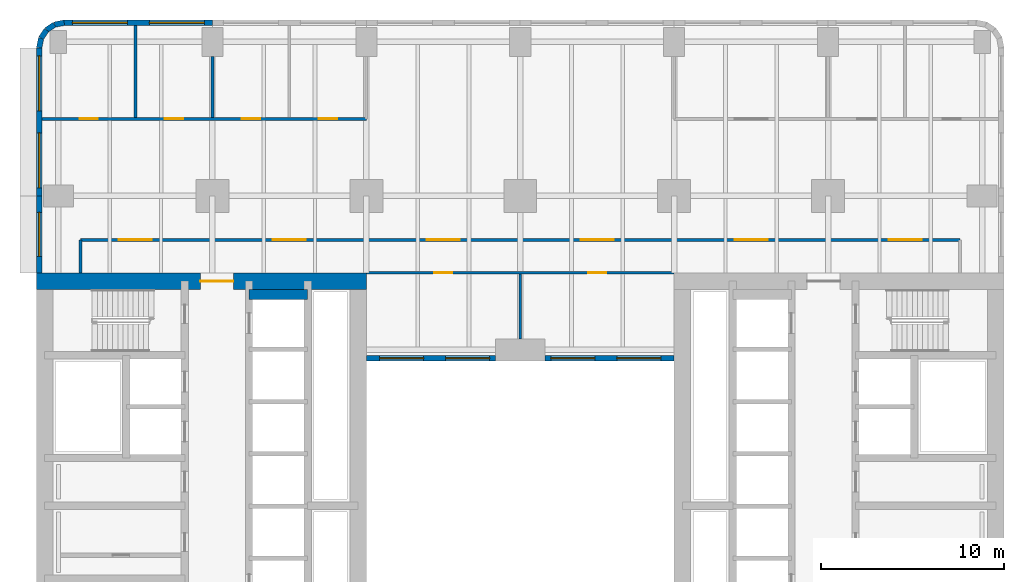
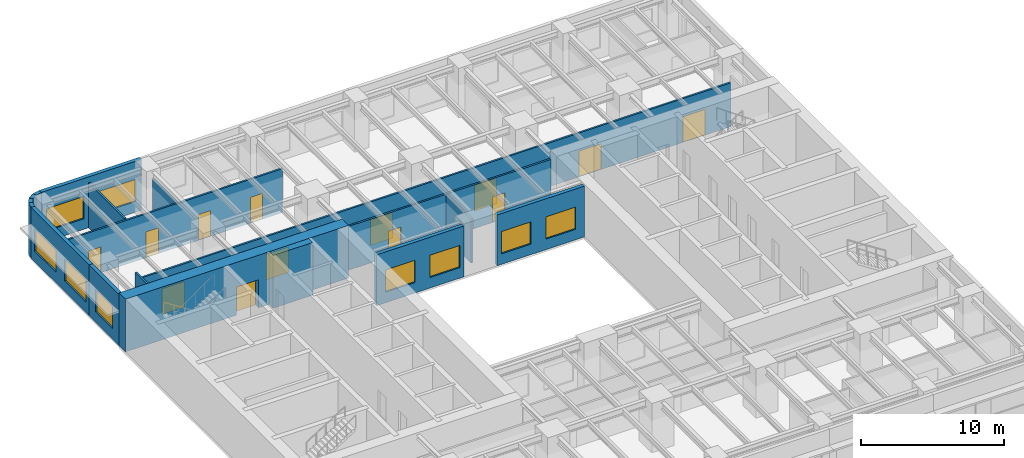
# One storey, part 6 of 14: 18 walls, 13 doors, 9 windows, 22 openings.
"""IFC4 building model written with IfcOpenShell, lengths in metres."""

from ifc_helpers import new_model, si_unit, direction, frame, frame_2d, origin, place, context, subcontext, project, spatial, rectangle, extrude, material, layer, layer_set, type_object, element, fill, save


model = new_model("IFC4")

# Units and contexts
model_context = context("Model", 3, precision=1e-05, world=origin(), true_north=direction((0.0, 1.0)))
body_context = subcontext(model_context, "Body", "Model", "MODEL_VIEW")
ifc_project = project(units=[si_unit("LENGTHUNIT", "METRE"), si_unit("AREAUNIT", "SQUARE_METRE"), si_unit("VOLUMEUNIT", "CUBIC_METRE"), si_unit("PLANEANGLEUNIT", "RADIAN"), si_unit("MASSUNIT", "GRAM", prefix="KILO")], contexts=[model_context])

# Site, building, storey
site_placement = place(None, origin())
site = spatial("IfcSite", under=ifc_project, at=site_placement, CompositionType="ELEMENT")
building_placement = place(site_placement, origin())
building = spatial("IfcBuilding", under=site, at=building_placement, Name="Claustro Exchange Tower", CompositionType="ELEMENT")
storey_placement = place(building_placement, frame((0.0, 0.0, 23.39990234375)))
storey = spatial("IfcBuildingStorey", under=building, at=storey_placement, Name="L05", CompositionType="ELEMENT", Elevation=23.39990234375)

# Wall, openings, doors
ifc_material_1 = material(Name="Gypsum board on steel studs", Category="steel")
ifc_layer_1 = layer(ifc_material_1, 0.14990234375)
ifc_layer_set_1 = layer_set([ifc_layer_1], Name="Gypsum board on steel studs")
wall_type_1 = type_object("IfcWallType", Name="P1 150 plasterboard partition", PredefinedType="PARTITIONING", material=ifc_layer_set_1)
wall_1_placement = place(storey_placement, frame((-0.902099609375, 46.199951171875, 0.0), z_axis=(0.0, 0.0, 1.0), x_axis=(1.0, 0.0, 0.0)))
wall_1 = element("IfcWall", 1, at=wall_1_placement, inside=storey, type_object=wall_type_1, Name="Partition P1 L05", PredefinedType="PARTITIONING", context=body_context, shape_type="SweptSolid", body=[
    extrude(rectangle(XDim=17.7021484375, YDim=0.14990234375, at=frame_2d((8.85107421875, 0.0))), origin(), (0.0, 0.0, 1.0), 3.739990234375),
])
opening_1_placement = place(wall_1_placement, frame((2.052001953125, 0.0, 0.0)))
opening_1 = element("IfcOpeningElement", 2, at=opening_1_placement, cuts=wall_1, Name="Opening D1", PredefinedType="OPENING", context=body_context, shape_type="SweptSolid", body=[
    extrude(rectangle(XDim=1.0, YDim=2.199951171875, at=frame_2d((0.5, 1.10009765625))), frame((0.0, 0.0849609375, 0.0), z_axis=(0.0, -1.0, 0.0), x_axis=(1.0, 0.0, 0.0)), (0.0, 0.0, 1.0), 0.169921875),
])
opening_2_placement = place(wall_1_placement, frame((6.701904296875, 0.0, 0.0)))
opening_2 = element("IfcOpeningElement", 3, at=opening_2_placement, cuts=wall_1, Name="Opening D1", PredefinedType="OPENING", context=body_context, shape_type="SweptSolid", body=[
    extrude(rectangle(XDim=1.0, YDim=2.199951171875, at=frame_2d((0.5, 1.10009765625))), frame((0.0, 0.0849609375, 0.0), z_axis=(0.0, -1.0, 0.0), x_axis=(1.0, 0.0, 0.0)), (0.0, 0.0, 1.0), 0.169921875),
])
opening_3_placement = place(wall_1_placement, frame((10.902099609375, 0.0, 0.0)))
opening_3 = element("IfcOpeningElement", 4, at=opening_3_placement, cuts=wall_1, Name="Opening D1", PredefinedType="OPENING", context=body_context, shape_type="SweptSolid", body=[
    extrude(rectangle(XDim=1.0, YDim=2.199951171875, at=frame_2d((0.5, 1.10009765625))), frame((0.0, 0.0849609375, 0.0), z_axis=(0.0, -1.0, 0.0), x_axis=(1.0, 0.0, 0.0)), (0.0, 0.0, 1.0), 0.169921875),
])
opening_4_placement = place(wall_1_placement, frame((15.10205078125, 0.0, 0.0)))
opening_4 = element("IfcOpeningElement", 5, at=opening_4_placement, cuts=wall_1, Name="Opening D1", PredefinedType="OPENING", context=body_context, shape_type="SweptSolid", body=[
    extrude(rectangle(XDim=1.0, YDim=2.199951171875, at=frame_2d((0.5, 1.10009765625))), frame((0.0, 0.0849609375, 0.0), z_axis=(0.0, -1.0, 0.0), x_axis=(1.0, 0.0, 0.0)), (0.0, 0.0, 1.0), 0.169921875),
])
ifc_material_2 = material(Name="Timber door, oak veneer", Category="wood")
door_type_1 = type_object("IfcDoorType", Name="D1 1000 x 2200 single door", OperationType="SINGLE_SWING_LEFT", PredefinedType="DOOR", material=ifc_material_2)
door_1_placement = place(opening_1_placement, origin())
door_1 = element("IfcDoor", 6, at=door_1_placement, inside=storey, type_object=door_type_1, Name="Door D1 L05", OperationType="SINGLE_SWING_RIGHT", OverallHeight=2.199951171875, OverallWidth=1.0, PredefinedType="DOOR", context=body_context, shape_type="SweptSolid", body=[
    extrude(rectangle(XDim=1.0, YDim=2.199951171875, at=frame_2d((0.5, 1.10009765625))), frame((0.0, 0.02490234375, 0.0), z_axis=(0.0, -1.0, 0.0), x_axis=(1.0, 0.0, 0.0)), (0.0, 0.0, 1.0), 0.050048828125),
])
fill(opening_1, door_1)
door_2_placement = place(opening_2_placement, origin())
door_2 = element("IfcDoor", 7, at=door_2_placement, inside=storey, type_object=door_type_1, Name="Door D1 L05", OperationType="SINGLE_SWING_LEFT", OverallHeight=2.199951171875, OverallWidth=1.0, PredefinedType="DOOR", context=body_context, shape_type="SweptSolid", body=[
    extrude(rectangle(XDim=1.0, YDim=2.199951171875, at=frame_2d((0.5, 1.10009765625))), frame((0.0, 0.02490234375, 0.0), z_axis=(0.0, -1.0, 0.0), x_axis=(1.0, 0.0, 0.0)), (0.0, 0.0, 1.0), 0.050048828125),
])
fill(opening_2, door_2)
door_3_placement = place(opening_3_placement, origin())
door_3 = element("IfcDoor", 8, at=door_3_placement, inside=storey, type_object=door_type_1, Name="Door D1 L05", OperationType="SINGLE_SWING_LEFT", OverallHeight=2.199951171875, OverallWidth=1.0, PredefinedType="DOOR", context=body_context, shape_type="SweptSolid", body=[
    extrude(rectangle(XDim=1.0, YDim=2.199951171875, at=frame_2d((0.5, 1.10009765625))), frame((0.0, 0.02490234375, 0.0), z_axis=(0.0, -1.0, 0.0), x_axis=(1.0, 0.0, 0.0)), (0.0, 0.0, 1.0), 0.050048828125),
])
fill(opening_3, door_3)
door_4_placement = place(opening_4_placement, origin())
door_4 = element("IfcDoor", 9, at=door_4_placement, inside=storey, type_object=door_type_1, Name="Door D1 L05", OperationType="SINGLE_SWING_LEFT", OverallHeight=2.199951171875, OverallWidth=1.0, PredefinedType="DOOR", context=body_context, shape_type="SweptSolid", body=[
    extrude(rectangle(XDim=1.0, YDim=2.199951171875, at=frame_2d((0.5, 1.10009765625))), frame((0.0, 0.02490234375, 0.0), z_axis=(0.0, -1.0, 0.0), x_axis=(1.0, 0.0, 0.0)), (0.0, 0.0, 1.0), 0.050048828125),
])
fill(opening_4, door_4)

# Walls
wall_2_placement = place(storey_placement, frame((4.199951171875, 46.27392578125, 0.0), z_axis=(0.0, 0.0, 1.0), x_axis=(0.0, 1.0, 0.0)))
element("IfcWall", 10, at=wall_2_placement, inside=storey, type_object=wall_type_1, Name="Partition P1 L05", PredefinedType="PARTITIONING", context=body_context, shape_type="SweptSolid", body=[
    extrude(rectangle(XDim=5.028076171875, YDim=0.14990234375, at=frame_2d((2.51416015625, 0.0))), origin(), (0.0, 0.0, 1.0), 3.840087890625),
])
wall_3_placement = place(storey_placement, frame((8.39990234375, 46.27392578125, 0.0), z_axis=(0.0, 0.0, 1.0), x_axis=(0.0, 1.0, 0.0)))
element("IfcWall", 11, at=wall_3_placement, inside=storey, type_object=wall_type_1, Name="Partition P1 L05", PredefinedType="PARTITIONING", context=body_context, shape_type="SweptSolid", body=[
    extrude(rectangle(XDim=3.3271484375, YDim=0.14990234375, at=frame_2d((1.66357421875, 0.0))), origin(), (0.0, 0.0, 1.0), 3.739990234375),
])

# Wall, openings, doors
wall_4_placement = place(storey_placement, frame((1.199951171875, 39.60009765625, 0.0), z_axis=(0.0, 0.0, 1.0), x_axis=(1.0, 0.0, 0.0)))
wall_4 = element("IfcWall", 12, at=wall_4_placement, inside=storey, type_object=wall_type_1, Name="Partition P1 L05", PredefinedType="PARTITIONING", context=body_context, shape_type="SweptSolid", body=[
    extrude(rectangle(XDim=48.0, YDim=0.14990234375, at=frame_2d((24.0, 0.0))), origin(), (0.0, 0.0, 1.0), 3.739990234375),
])
opening_5_placement = place(wall_4_placement, frame((2.10009765625, 0.0, 0.0)))
opening_5 = element("IfcOpeningElement", 13, at=opening_5_placement, cuts=wall_4, Name="Opening D2", PredefinedType="OPENING", context=body_context, shape_type="SweptSolid", body=[
    extrude(rectangle(XDim=1.800048828125, YDim=2.199951171875, at=frame_2d((0.89990234375, 1.10009765625))), frame((0.0, 0.0849609375, 0.0), z_axis=(0.0, -1.0, 0.0), x_axis=(1.0, 0.0, 0.0)), (0.0, 0.0, 1.0), 0.169921875),
])
opening_6_placement = place(wall_4_placement, frame((10.5, 0.0, 0.0)))
opening_6 = element("IfcOpeningElement", 14, at=opening_6_placement, cuts=wall_4, Name="Opening D2", PredefinedType="OPENING", context=body_context, shape_type="SweptSolid", body=[
    extrude(rectangle(XDim=1.800048828125, YDim=2.199951171875, at=frame_2d((0.89990234375, 1.10009765625))), frame((0.0, 0.0849609375, 0.0), z_axis=(0.0, -1.0, 0.0), x_axis=(1.0, 0.0, 0.0)), (0.0, 0.0, 1.0), 0.169921875),
])
opening_7_placement = place(wall_4_placement, frame((18.89990234375, 0.0, 0.0)))
opening_7 = element("IfcOpeningElement", 15, at=opening_7_placement, cuts=wall_4, Name="Opening D2", PredefinedType="OPENING", context=body_context, shape_type="SweptSolid", body=[
    extrude(rectangle(XDim=1.800048828125, YDim=2.199951171875, at=frame_2d((0.89990234375, 1.10009765625))), frame((0.0, 0.0849609375, 0.0), z_axis=(0.0, -1.0, 0.0), x_axis=(1.0, 0.0, 0.0)), (0.0, 0.0, 1.0), 0.169921875),
])
opening_8_placement = place(wall_4_placement, frame((27.300048828125, 0.0, 0.0)))
opening_8 = element("IfcOpeningElement", 16, at=opening_8_placement, cuts=wall_4, Name="Opening D2", PredefinedType="OPENING", context=body_context, shape_type="SweptSolid", body=[
    extrude(rectangle(XDim=1.800048828125, YDim=2.199951171875, at=frame_2d((0.89990234375, 1.10009765625))), frame((0.0, 0.0849609375, 0.0), z_axis=(0.0, -1.0, 0.0), x_axis=(1.0, 0.0, 0.0)), (0.0, 0.0, 1.0), 0.169921875),
])
opening_9_placement = place(wall_4_placement, frame((35.699951171875, 0.0, 0.0)))
opening_9 = element("IfcOpeningElement", 17, at=opening_9_placement, cuts=wall_4, Name="Opening D2", PredefinedType="OPENING", context=body_context, shape_type="SweptSolid", body=[
    extrude(rectangle(XDim=1.800048828125, YDim=2.199951171875, at=frame_2d((0.89990234375, 1.10009765625))), frame((0.0, 0.0849609375, 0.0), z_axis=(0.0, -1.0, 0.0), x_axis=(1.0, 0.0, 0.0)), (0.0, 0.0, 1.0), 0.169921875),
])
opening_10_placement = place(wall_4_placement, frame((44.10009765625, 0.0, 0.0)))
opening_10 = element("IfcOpeningElement", 18, at=opening_10_placement, cuts=wall_4, Name="Opening D2", PredefinedType="OPENING", context=body_context, shape_type="SweptSolid", body=[
    extrude(rectangle(XDim=1.800048828125, YDim=2.199951171875, at=frame_2d((0.89990234375, 1.10009765625))), frame((0.0, 0.0849609375, 0.0), z_axis=(0.0, -1.0, 0.0), x_axis=(1.0, 0.0, 0.0)), (0.0, 0.0, 1.0), 0.169921875),
])
ifc_material_3 = material(Name="Timber door, oak veneer", Category="wood")
door_type_2 = type_object("IfcDoorType", Name="D2 1800 x 2200 double door", OperationType="DOUBLE_DOOR_SINGLE_SWING", PredefinedType="DOOR", material=ifc_material_3)
door_5_placement = place(opening_5_placement, origin())
door_5 = element("IfcDoor", 19, at=door_5_placement, inside=storey, type_object=door_type_2, Name="Double door D2 L05", OperationType="DOUBLE_DOOR_SINGLE_SWING", OverallHeight=2.199951171875, OverallWidth=1.800048828125, PredefinedType="DOOR", context=body_context, shape_type="SweptSolid", body=[
    extrude(rectangle(XDim=1.800048828125, YDim=2.199951171875, at=frame_2d((0.89990234375, 1.10009765625))), frame((0.0, 0.02490234375, 0.0), z_axis=(0.0, -1.0, 0.0), x_axis=(1.0, 0.0, 0.0)), (0.0, 0.0, 1.0), 0.050048828125),
])
fill(opening_5, door_5)
door_6_placement = place(opening_6_placement, origin())
door_6 = element("IfcDoor", 20, at=door_6_placement, inside=storey, type_object=door_type_2, Name="Double door D2 L05", OperationType="DOUBLE_DOOR_SINGLE_SWING", OverallHeight=2.199951171875, OverallWidth=1.800048828125, PredefinedType="DOOR", context=body_context, shape_type="SweptSolid", body=[
    extrude(rectangle(XDim=1.800048828125, YDim=2.199951171875, at=frame_2d((0.89990234375, 1.10009765625))), frame((0.0, 0.02490234375, 0.0), z_axis=(0.0, -1.0, 0.0), x_axis=(1.0, 0.0, 0.0)), (0.0, 0.0, 1.0), 0.050048828125),
])
fill(opening_6, door_6)
door_7_placement = place(opening_7_placement, origin())
door_7 = element("IfcDoor", 21, at=door_7_placement, inside=storey, type_object=door_type_2, Name="Double door D2 L05", OperationType="DOUBLE_DOOR_SINGLE_SWING", OverallHeight=2.199951171875, OverallWidth=1.800048828125, PredefinedType="DOOR", context=body_context, shape_type="SweptSolid", body=[
    extrude(rectangle(XDim=1.800048828125, YDim=2.199951171875, at=frame_2d((0.89990234375, 1.10009765625))), frame((0.0, 0.02490234375, 0.0), z_axis=(0.0, -1.0, 0.0), x_axis=(1.0, 0.0, 0.0)), (0.0, 0.0, 1.0), 0.050048828125),
])
fill(opening_7, door_7)
door_8_placement = place(opening_8_placement, origin())
door_8 = element("IfcDoor", 22, at=door_8_placement, inside=storey, type_object=door_type_2, Name="Double door D2 L05", OperationType="DOUBLE_DOOR_SINGLE_SWING", OverallHeight=2.199951171875, OverallWidth=1.800048828125, PredefinedType="DOOR", context=body_context, shape_type="SweptSolid", body=[
    extrude(rectangle(XDim=1.800048828125, YDim=2.199951171875, at=frame_2d((0.89990234375, 1.10009765625))), frame((0.0, 0.02490234375, 0.0), z_axis=(0.0, -1.0, 0.0), x_axis=(1.0, 0.0, 0.0)), (0.0, 0.0, 1.0), 0.050048828125),
])
fill(opening_8, door_8)
door_9_placement = place(opening_9_placement, origin())
door_9 = element("IfcDoor", 23, at=door_9_placement, inside=storey, type_object=door_type_2, Name="Double door D2 L05", OperationType="DOUBLE_DOOR_SINGLE_SWING", OverallHeight=2.199951171875, OverallWidth=1.800048828125, PredefinedType="DOOR", context=body_context, shape_type="SweptSolid", body=[
    extrude(rectangle(XDim=1.800048828125, YDim=2.199951171875, at=frame_2d((0.89990234375, 1.10009765625))), frame((0.0, 0.02490234375, 0.0), z_axis=(0.0, -1.0, 0.0), x_axis=(1.0, 0.0, 0.0)), (0.0, 0.0, 1.0), 0.050048828125),
])
fill(opening_9, door_9)
door_10_placement = place(opening_10_placement, origin())
door_10 = element("IfcDoor", 24, at=door_10_placement, inside=storey, type_object=door_type_2, Name="Double door D2 L05", OperationType="DOUBLE_DOOR_SINGLE_SWING", OverallHeight=2.199951171875, OverallWidth=1.800048828125, PredefinedType="DOOR", context=body_context, shape_type="SweptSolid", body=[
    extrude(rectangle(XDim=1.800048828125, YDim=2.199951171875, at=frame_2d((0.89990234375, 1.10009765625))), frame((0.0, 0.02490234375, 0.0), z_axis=(0.0, -1.0, 0.0), x_axis=(1.0, 0.0, 0.0)), (0.0, 0.0, 1.0), 0.050048828125),
])
fill(opening_10, door_10)

# Walls
wall_5_placement = place(storey_placement, frame((1.199951171875, 37.800048828125, 0.0), z_axis=(0.0, 0.0, 1.0), x_axis=(0.0, 1.0, 0.0)))
element("IfcWall", 25, at=wall_5_placement, inside=storey, type_object=wall_type_1, Name="Partition P1 L05", PredefinedType="PARTITIONING", context=body_context, shape_type="SweptSolid", body=[
    extrude(rectangle(XDim=1.800048828125, YDim=0.14990234375, at=frame_2d((0.89990234375, 0.0))), origin(), (0.0, 0.0, 1.0), 4.340087890625),
])
wall_6_placement = place(storey_placement, frame((25.199951171875, 34.198974609375, 0.0), z_axis=(0.0, 0.0, 1.0), x_axis=(0.0, 1.0, 0.0)))
element("IfcWall", 26, at=wall_6_placement, inside=storey, type_object=wall_type_1, Name="Partition P1 L05", PredefinedType="PARTITIONING", context=body_context, shape_type="SweptSolid", body=[
    extrude(rectangle(XDim=3.527099609375, YDim=0.14990234375, at=frame_2d((1.763671875, 0.0))), origin(), (0.0, 0.0, 1.0), 3.739990234375),
])

# Wall, openings, doors
wall_7_placement = place(storey_placement, frame((16.798095703125, 37.800048828125, 0.0), z_axis=(0.0, 0.0, 1.0), x_axis=(1.0, 0.0, 0.0)))
wall_7 = element("IfcWall", 27, at=wall_7_placement, inside=storey, type_object=wall_type_1, Name="Partition P1 L05", PredefinedType="PARTITIONING", context=body_context, shape_type="SweptSolid", body=[
    extrude(rectangle(XDim=16.803955078125, YDim=0.14990234375, at=frame_2d((8.40185546875, 0.0))), origin(), (0.0, 0.0, 1.0), 3.739990234375),
])
opening_11_placement = place(wall_7_placement, frame((3.701904296875, 0.0, 0.0)))
opening_11 = element("IfcOpeningElement", 28, at=opening_11_placement, cuts=wall_7, Name="Opening D1", PredefinedType="OPENING", context=body_context, shape_type="SweptSolid", body=[
    extrude(rectangle(XDim=1.0, YDim=2.199951171875, at=frame_2d((0.5, 1.10009765625))), frame((0.0, 0.0849609375, 0.0), z_axis=(0.0, -1.0, 0.0), x_axis=(1.0, 0.0, 0.0)), (0.0, 0.0, 1.0), 0.169921875),
])
opening_12_placement = place(wall_7_placement, frame((12.10205078125, 0.0, 0.0)))
opening_12 = element("IfcOpeningElement", 29, at=opening_12_placement, cuts=wall_7, Name="Opening D1", PredefinedType="OPENING", context=body_context, shape_type="SweptSolid", body=[
    extrude(rectangle(XDim=1.0, YDim=2.199951171875, at=frame_2d((0.5, 1.10009765625))), frame((0.0, 0.0849609375, 0.0), z_axis=(0.0, -1.0, 0.0), x_axis=(1.0, 0.0, 0.0)), (0.0, 0.0, 1.0), 0.169921875),
])
door_11_placement = place(opening_11_placement, frame((1.0, 0.0, 0.0), z_axis=(0.0, 0.0, 1.0), x_axis=(-1.0, 0.0, 0.0)))
door_11 = element("IfcDoor", 30, at=door_11_placement, inside=storey, type_object=door_type_1, Name="Door D1 L05", OperationType="SINGLE_SWING_RIGHT", OverallHeight=2.199951171875, OverallWidth=1.0, PredefinedType="DOOR", context=body_context, shape_type="SweptSolid", body=[
    extrude(rectangle(XDim=1.0, YDim=2.199951171875, at=frame_2d((0.5, 1.10009765625))), frame((0.0, 0.02490234375, 0.0), z_axis=(0.0, -1.0, 0.0), x_axis=(1.0, 0.0, 0.0)), (0.0, 0.0, 1.0), 0.050048828125),
])
fill(opening_11, door_11)
door_12_placement = place(opening_12_placement, frame((1.0, 0.0, 0.0), z_axis=(0.0, 0.0, 1.0), x_axis=(-1.0, 0.0, 0.0)))
door_12 = element("IfcDoor", 31, at=door_12_placement, inside=storey, type_object=door_type_1, Name="Door D1 L05", OperationType="SINGLE_SWING_RIGHT", OverallHeight=2.199951171875, OverallWidth=1.0, PredefinedType="DOOR", context=body_context, shape_type="SweptSolid", body=[
    extrude(rectangle(XDim=1.0, YDim=2.199951171875, at=frame_2d((0.5, 1.10009765625))), frame((0.0, 0.02490234375, 0.0), z_axis=(0.0, -1.0, 0.0), x_axis=(1.0, 0.0, 0.0)), (0.0, 0.0, 1.0), 0.050048828125),
])
fill(opening_12, door_12)

# Wall, opening, window
ifc_material_4 = material(Name="Concrete HA-40 (C40/50), precast, white cement, acid-etched", Category="concrete")
ifc_layer_2 = layer(ifc_material_4, 0.300048828125)
ifc_layer_set_2 = layer_set([ifc_layer_2], Name="Concrete HA-40 (C40/50), precast, white cement, acid-etched")
wall_type_2 = type_object("IfcWallType", Name="PC1 300 precast concrete pier panel", PredefinedType="SOLIDWALL", material=ifc_layer_set_2)
wall_8_placement = place(storey_placement, frame((-1.050048828125, 37.800048828125, 0.0), z_axis=(0.0, 0.0, 1.0), x_axis=(0.0, 1.0, 0.0)))
wall_8 = element("IfcWall", 32, at=wall_8_placement, inside=storey, type_object=wall_type_2, Name="Precast pier panel PC1 L05", PredefinedType="SOLIDWALL", context=body_context, shape_type="SweptSolid", body=[
    extrude(rectangle(XDim=4.199951171875, YDim=0.300048828125, at=frame_2d((2.10009765625, 0.0))), origin(), (0.0, 0.0, 1.0), 4.340087890625),
])
opening_13_placement = place(wall_8_placement, frame((0.89990234375, 0.0, 0.89990234375)))
opening_13 = element("IfcOpeningElement", 33, at=opening_13_placement, cuts=wall_8, Name="Opening W2", PredefinedType="OPENING", context=body_context, shape_type="SweptSolid", body=[
    extrude(rectangle(XDim=2.39990234375, YDim=1.89990234375, at=frame_2d((1.199951171875, 0.949951171875))), frame((0.0, 0.159912109375, 0.0), z_axis=(0.0, -1.0, 0.0), x_axis=(1.0, 0.0, 0.0)), (0.0, 0.0, 1.0), 0.320068359375),
])
ifc_material_5 = material(Name="Aluminium frame, clear double glazing", Category="aluminium")
window_type_1 = type_object("IfcWindowType", Name="W2 2400 x 1900 window", PartitioningType="SINGLE_PANEL", PredefinedType="WINDOW", material=ifc_material_5)
window_1_placement = place(opening_13_placement, origin())
window_1 = element("IfcWindow", 34, at=window_1_placement, inside=storey, type_object=window_type_1, Name="Window W2 L05", OverallHeight=1.89990234375, OverallWidth=2.39990234375, PartitioningType="SINGLE_PANEL", PredefinedType="WINDOW", context=body_context, shape_type="SweptSolid", body=[
    extrude(rectangle(XDim=2.39990234375, YDim=1.89990234375, at=frame_2d((1.199951171875, 0.949951171875))), frame((0.0, 0.030029296875, 0.0), z_axis=(0.0, -1.0, 0.0), x_axis=(1.0, 0.0, 0.0)), (0.0, 0.0, 1.0), 0.06005859375),
])
fill(opening_13, window_1)

# Wall, openings, windows
wall_9_placement = place(storey_placement, frame((-1.050048828125, 42.0, 0.0), z_axis=(0.0, 0.0, 1.0), x_axis=(0.0, 1.0, 0.0)))
wall_9 = element("IfcWall", 35, at=wall_9_placement, inside=storey, type_object=wall_type_2, Name="Precast pier panel PC1 L05", PredefinedType="SOLIDWALL", context=body_context, shape_type="SweptSolid", body=[
    extrude(rectangle(XDim=8.085205078125, YDim=0.300048828125, at=frame_2d((4.04248046875, 0.0))), origin(), (0.0, 0.0, 1.0), 4.340087890625),
])
opening_14_placement = place(wall_9_placement, frame((0.442626953125, 0.0, 0.89990234375)))
opening_14 = element("IfcOpeningElement", 36, at=opening_14_placement, cuts=wall_9, Name="Opening W1", PredefinedType="OPENING", context=body_context, shape_type="SweptSolid", body=[
    extrude(rectangle(XDim=3.0, YDim=1.89990234375, at=frame_2d((1.5, 0.949951171875))), frame((0.0, 0.159912109375, 0.0), z_axis=(0.0, -1.0, 0.0), x_axis=(1.0, 0.0, 0.0)), (0.0, 0.0, 1.0), 0.320068359375),
])
opening_15_placement = place(wall_9_placement, frame((4.642578125, 0.0, 0.89990234375)))
opening_15 = element("IfcOpeningElement", 37, at=opening_15_placement, cuts=wall_9, Name="Opening W1", PredefinedType="OPENING", context=body_context, shape_type="SweptSolid", body=[
    extrude(rectangle(XDim=3.0, YDim=1.89990234375, at=frame_2d((1.5, 0.949951171875))), frame((0.0, 0.159912109375, 0.0), z_axis=(0.0, -1.0, 0.0), x_axis=(1.0, 0.0, 0.0)), (0.0, 0.0, 1.0), 0.320068359375),
])
ifc_material_6 = material(Name="Aluminium frame, clear double glazing", Category="aluminium")
window_type_2 = type_object("IfcWindowType", Name="W1 3000 x 1900 window", PartitioningType="SINGLE_PANEL", PredefinedType="WINDOW", material=ifc_material_6)
window_2_placement = place(opening_14_placement, origin())
window_2 = element("IfcWindow", 38, at=window_2_placement, inside=storey, type_object=window_type_2, Name="Window W1 L05", OverallHeight=1.89990234375, OverallWidth=3.0, PartitioningType="SINGLE_PANEL", PredefinedType="WINDOW", context=body_context, shape_type="SweptSolid", body=[
    extrude(rectangle(XDim=3.0, YDim=1.89990234375, at=frame_2d((1.5, 0.949951171875))), frame((0.0, 0.030029296875, 0.0), z_axis=(0.0, -1.0, 0.0), x_axis=(1.0, 0.0, 0.0)), (0.0, 0.0, 1.0), 0.06005859375),
])
fill(opening_14, window_2)
window_3_placement = place(opening_15_placement, origin())
window_3 = element("IfcWindow", 39, at=window_3_placement, inside=storey, type_object=window_type_2, Name="Window W1 L05", OverallHeight=1.89990234375, OverallWidth=3.0, PartitioningType="SINGLE_PANEL", PredefinedType="WINDOW", context=body_context, shape_type="SweptSolid", body=[
    extrude(rectangle(XDim=3.0, YDim=1.89990234375, at=frame_2d((1.5, 0.949951171875))), frame((0.0, 0.030029296875, 0.0), z_axis=(0.0, -1.0, 0.0), x_axis=(1.0, 0.0, 0.0)), (0.0, 0.0, 1.0), 0.06005859375),
])
fill(opening_15, window_3)

# Walls
wall_10_placement = place(storey_placement, frame((-1.050048828125, 50.085205078125, 0.0), z_axis=(0.0, 0.0, 1.0), x_axis=(0.195073962632, 0.980788534345, 0.0)))
element("IfcWall", 40, at=wall_10_placement, inside=storey, type_object=wall_type_2, Name="Precast pier panel PC1 L05", PredefinedType="SOLIDWALL", context=body_context, shape_type="SweptSolid", body=[
    extrude(rectangle(XDim=0.540771484375, YDim=0.300048828125, at=frame_2d((0.2705078125, 0.0))), origin(), (0.0, 0.0, 1.0), 4.340087890625),
])
for number, where, z_axis, x_axis, name in (
    (41, (-0.944580078125, 50.615478515625, 0.0), (0.0, 0.0, 1.0), (0.555557463938, 0.831478144188, 0.0), "Precast pier panel PC1 L05"),
    (42, (-0.652587890625, 51.052490234375, 0.0), (0.0, 0.0, 1.0), (0.831478144188, 0.555557463938, 0.0), "Precast pier panel PC1 L05"),
):
    element("IfcWall", number, at=place(storey_placement, frame(where, z_axis=z_axis, x_axis=x_axis)), inside=storey, type_object=wall_type_2, Name=name, PredefinedType="SOLIDWALL", context=body_context, shape_type="SweptSolid", body=[
        extrude(rectangle(XDim=0.525634765625, YDim=0.300048828125, at=frame_2d((0.2626953125, 0.0))), origin(), (0.0, 0.0, 1.0), 4.340087890625),
    ])
wall_11_placement = place(storey_placement, frame((-0.215576171875, 51.344482421875, 0.0), z_axis=(0.0, 0.0, 1.0), x_axis=(0.980788534345, 0.195073962632, 0.0)))
element("IfcWall", 43, at=wall_11_placement, inside=storey, type_object=wall_type_2, Name="Precast pier panel PC1 L05", PredefinedType="SOLIDWALL", context=body_context, shape_type="SweptSolid", body=[
    extrude(rectangle(XDim=0.540771484375, YDim=0.300048828125, at=frame_2d((0.2705078125, 0.0))), origin(), (0.0, 0.0, 1.0), 4.340087890625),
])

# Wall, openings, windows
wall_12_placement = place(storey_placement, frame((0.314697265625, 51.449951171875, 0.0), z_axis=(0.0, 0.0, 1.0), x_axis=(1.0, 0.0, 0.0)))
wall_12 = element("IfcWall", 44, at=wall_12_placement, inside=storey, type_object=wall_type_2, Name="Precast pier panel PC1 L05", PredefinedType="SOLIDWALL", context=body_context, shape_type="SweptSolid", body=[
    extrude(rectangle(XDim=8.085205078125, YDim=0.300048828125, at=frame_2d((4.04248046875, 0.0))), origin(), (0.0, 0.0, 1.0), 4.340087890625),
])
opening_16_placement = place(wall_12_placement, frame((0.442626953125, 0.0, 0.89990234375)))
opening_16 = element("IfcOpeningElement", 45, at=opening_16_placement, cuts=wall_12, Name="Opening W1", PredefinedType="OPENING", context=body_context, shape_type="SweptSolid", body=[
    extrude(rectangle(XDim=3.0, YDim=1.89990234375, at=frame_2d((1.5, 0.949951171875))), frame((0.0, 0.159912109375, 0.0), z_axis=(0.0, -1.0, 0.0), x_axis=(1.0, 0.0, 0.0)), (0.0, 0.0, 1.0), 0.320068359375),
])
opening_17_placement = place(wall_12_placement, frame((4.642578125, 0.0, 0.89990234375)))
opening_17 = element("IfcOpeningElement", 46, at=opening_17_placement, cuts=wall_12, Name="Opening W1", PredefinedType="OPENING", context=body_context, shape_type="SweptSolid", body=[
    extrude(rectangle(XDim=3.0, YDim=1.89990234375, at=frame_2d((1.5, 0.949951171875))), frame((0.0, 0.159912109375, 0.0), z_axis=(0.0, -1.0, 0.0), x_axis=(1.0, 0.0, 0.0)), (0.0, 0.0, 1.0), 0.320068359375),
])
window_4_placement = place(opening_16_placement, origin())
window_4 = element("IfcWindow", 47, at=window_4_placement, inside=storey, type_object=window_type_2, Name="Window W1 L05", OverallHeight=1.89990234375, OverallWidth=3.0, PartitioningType="SINGLE_PANEL", PredefinedType="WINDOW", context=body_context, shape_type="SweptSolid", body=[
    extrude(rectangle(XDim=3.0, YDim=1.89990234375, at=frame_2d((1.5, 0.949951171875))), frame((0.0, 0.030029296875, 0.0), z_axis=(0.0, -1.0, 0.0), x_axis=(1.0, 0.0, 0.0)), (0.0, 0.0, 1.0), 0.06005859375),
])
fill(opening_16, window_4)
window_5_placement = place(opening_17_placement, origin())
window_5 = element("IfcWindow", 48, at=window_5_placement, inside=storey, type_object=window_type_2, Name="Window W1 L05", OverallHeight=1.89990234375, OverallWidth=3.0, PartitioningType="SINGLE_PANEL", PredefinedType="WINDOW", context=body_context, shape_type="SweptSolid", body=[
    extrude(rectangle(XDim=3.0, YDim=1.89990234375, at=frame_2d((1.5, 0.949951171875))), frame((0.0, 0.030029296875, 0.0), z_axis=(0.0, -1.0, 0.0), x_axis=(1.0, 0.0, 0.0)), (0.0, 0.0, 1.0), 0.06005859375),
])
fill(opening_17, window_5)

wall_13_placement = place(storey_placement, frame((16.800048828125, 33.14990234375, 0.0), z_axis=(0.0, 0.0, 1.0), x_axis=(1.0, 0.0, 0.0)))
wall_13 = element("IfcWall", 49, at=wall_13_placement, inside=storey, type_object=wall_type_2, Name="Precast pier panel PC1 L05", PredefinedType="SOLIDWALL", context=body_context, shape_type="SweptSolid", body=[
    extrude(rectangle(XDim=7.050048828125, YDim=0.300048828125, at=frame_2d((3.52490234375, 0.0))), origin(), (0.0, 0.0, 1.0), 4.340087890625),
])
opening_18_placement = place(wall_13_placement, frame((0.72509765625, 0.0, 0.89990234375)))
opening_18 = element("IfcOpeningElement", 50, at=opening_18_placement, cuts=wall_13, Name="Opening W2", PredefinedType="OPENING", context=body_context, shape_type="SweptSolid", body=[
    extrude(rectangle(XDim=2.39990234375, YDim=1.89990234375, at=frame_2d((1.199951171875, 0.949951171875))), frame((0.0, 0.159912109375, 0.0), z_axis=(0.0, -1.0, 0.0), x_axis=(1.0, 0.0, 0.0)), (0.0, 0.0, 1.0), 0.320068359375),
])
opening_19_placement = place(wall_13_placement, frame((4.324951171875, 0.0, 0.89990234375)))
opening_19 = element("IfcOpeningElement", 51, at=opening_19_placement, cuts=wall_13, Name="Opening W2", PredefinedType="OPENING", context=body_context, shape_type="SweptSolid", body=[
    extrude(rectangle(XDim=2.39990234375, YDim=1.89990234375, at=frame_2d((1.199951171875, 0.949951171875))), frame((0.0, 0.159912109375, 0.0), z_axis=(0.0, -1.0, 0.0), x_axis=(1.0, 0.0, 0.0)), (0.0, 0.0, 1.0), 0.320068359375),
])
window_6_placement = place(opening_18_placement, origin())
window_6 = element("IfcWindow", 52, at=window_6_placement, inside=storey, type_object=window_type_1, Name="Window W2 L05", OverallHeight=1.89990234375, OverallWidth=2.39990234375, PartitioningType="SINGLE_PANEL", PredefinedType="WINDOW", context=body_context, shape_type="SweptSolid", body=[
    extrude(rectangle(XDim=2.39990234375, YDim=1.89990234375, at=frame_2d((1.199951171875, 0.949951171875))), frame((0.0, 0.030029296875, 0.0), z_axis=(0.0, -1.0, 0.0), x_axis=(1.0, 0.0, 0.0)), (0.0, 0.0, 1.0), 0.06005859375),
])
fill(opening_18, window_6)
window_7_placement = place(opening_19_placement, origin())
window_7 = element("IfcWindow", 53, at=window_7_placement, inside=storey, type_object=window_type_1, Name="Window W2 L05", OverallHeight=1.89990234375, OverallWidth=2.39990234375, PartitioningType="SINGLE_PANEL", PredefinedType="WINDOW", context=body_context, shape_type="SweptSolid", body=[
    extrude(rectangle(XDim=2.39990234375, YDim=1.89990234375, at=frame_2d((1.199951171875, 0.949951171875))), frame((0.0, 0.030029296875, 0.0), z_axis=(0.0, -1.0, 0.0), x_axis=(1.0, 0.0, 0.0)), (0.0, 0.0, 1.0), 0.06005859375),
])
fill(opening_19, window_7)

wall_14_placement = place(storey_placement, frame((26.550048828125, 33.14990234375, 0.0), z_axis=(0.0, 0.0, 1.0), x_axis=(1.0, 0.0, 0.0)))
wall_14 = element("IfcWall", 54, at=wall_14_placement, inside=storey, type_object=wall_type_2, Name="Precast pier panel PC1 L05", PredefinedType="SOLIDWALL", context=body_context, shape_type="SweptSolid", body=[
    extrude(rectangle(XDim=7.050048828125, YDim=0.300048828125, at=frame_2d((3.52490234375, 0.0))), origin(), (0.0, 0.0, 1.0), 4.340087890625),
])
opening_20_placement = place(wall_14_placement, frame((0.324951171875, 0.0, 0.89990234375)))
opening_20 = element("IfcOpeningElement", 55, at=opening_20_placement, cuts=wall_14, Name="Opening W2", PredefinedType="OPENING", context=body_context, shape_type="SweptSolid", body=[
    extrude(rectangle(XDim=2.39990234375, YDim=1.89990234375, at=frame_2d((1.199951171875, 0.949951171875))), frame((0.0, 0.159912109375, 0.0), z_axis=(0.0, -1.0, 0.0), x_axis=(1.0, 0.0, 0.0)), (0.0, 0.0, 1.0), 0.320068359375),
])
opening_21_placement = place(wall_14_placement, frame((3.925048828125, 0.0, 0.89990234375)))
opening_21 = element("IfcOpeningElement", 56, at=opening_21_placement, cuts=wall_14, Name="Opening W2", PredefinedType="OPENING", context=body_context, shape_type="SweptSolid", body=[
    extrude(rectangle(XDim=2.39990234375, YDim=1.89990234375, at=frame_2d((1.199951171875, 0.949951171875))), frame((0.0, 0.159912109375, 0.0), z_axis=(0.0, -1.0, 0.0), x_axis=(1.0, 0.0, 0.0)), (0.0, 0.0, 1.0), 0.320068359375),
])
window_8_placement = place(opening_20_placement, origin())
window_8 = element("IfcWindow", 57, at=window_8_placement, inside=storey, type_object=window_type_1, Name="Window W2 L05", OverallHeight=1.89990234375, OverallWidth=2.39990234375, PartitioningType="SINGLE_PANEL", PredefinedType="WINDOW", context=body_context, shape_type="SweptSolid", body=[
    extrude(rectangle(XDim=2.39990234375, YDim=1.89990234375, at=frame_2d((1.199951171875, 0.949951171875))), frame((0.0, 0.030029296875, 0.0), z_axis=(0.0, -1.0, 0.0), x_axis=(1.0, 0.0, 0.0)), (0.0, 0.0, 1.0), 0.06005859375),
])
fill(opening_20, window_8)
window_9_placement = place(opening_21_placement, origin())
window_9 = element("IfcWindow", 58, at=window_9_placement, inside=storey, type_object=window_type_1, Name="Window W2 L05", OverallHeight=1.89990234375, OverallWidth=2.39990234375, PartitioningType="SINGLE_PANEL", PredefinedType="WINDOW", context=body_context, shape_type="SweptSolid", body=[
    extrude(rectangle(XDim=2.39990234375, YDim=1.89990234375, at=frame_2d((1.199951171875, 0.949951171875))), frame((0.0, 0.030029296875, 0.0), z_axis=(0.0, -1.0, 0.0), x_axis=(1.0, 0.0, 0.0)), (0.0, 0.0, 1.0), 0.06005859375),
])
fill(opening_21, window_9)

# Wall, opening, door
ifc_material_7 = material(Name="Concrete HA-70 (C70/85)", Category="concrete")
ifc_layer_3 = layer(ifc_material_7, 0.89990234375)
ifc_layer_set_3 = layer_set([ifc_layer_3], Name="Concrete HA-70 (C70/85)")
wall_type_3 = type_object("IfcWallType", Name="SW1 900 core shear wall", PredefinedType="SHEAR", material=ifc_layer_set_3)
wall_15_placement = place(storey_placement, frame((-1.199951171875, 37.35009765625, 0.0), z_axis=(0.0, 0.0, 1.0), x_axis=(1.0, 0.0, 0.0)))
wall_15 = element("IfcWall", 59, at=wall_15_placement, inside=storey, type_object=wall_type_3, Name="Core wall SW1 W core N face L05", PredefinedType="SHEAR", context=body_context, shape_type="SweptSolid", body=[
    extrude(rectangle(XDim=18.0, YDim=0.89990234375, at=frame_2d((9.0, 0.0))), origin(), (0.0, 0.0, 1.0), 4.5),
])
opening_22_placement = place(wall_15_placement, frame((8.949951171875, 0.0, 0.0)))
opening_22 = element("IfcOpeningElement", 60, at=opening_22_placement, cuts=wall_15, Name="Opening D3", PredefinedType="OPENING", context=body_context, shape_type="SweptSolid", body=[
    extrude(rectangle(XDim=1.800048828125, YDim=2.39990234375, at=frame_2d((0.89990234375, 1.199951171875))), frame((0.0, 0.4599609375, 0.0), z_axis=(0.0, -1.0, 0.0), x_axis=(1.0, 0.0, 0.0)), (0.0, 0.0, 1.0), 0.919921875),
])
ifc_material_8 = material(Name="Steel fire door, painted", Category="steel")
door_type_3 = type_object("IfcDoorType", Name="D3 1800 x 2400 fire-rated lobby double door", OperationType="DOUBLE_DOOR_SINGLE_SWING", PredefinedType="DOOR", material=ifc_material_8)
door_13_placement = place(opening_22_placement, frame((1.800048828125, 0.0, 0.0), z_axis=(0.0, 0.0, 1.0), x_axis=(-1.0, 0.0, 0.0)))
door_13 = element("IfcDoor", 61, at=door_13_placement, inside=storey, type_object=door_type_3, Name="Lift lobby door D3 L05", OperationType="DOUBLE_DOOR_SINGLE_SWING", OverallHeight=2.39990234375, OverallWidth=1.800048828125, PredefinedType="DOOR", context=body_context, shape_type="SweptSolid", body=[
    extrude(rectangle(XDim=1.800048828125, YDim=2.39990234375, at=frame_2d((0.89990234375, 1.199951171875))), frame((0.0, 0.02490234375, 0.0), z_axis=(0.0, -1.0, 0.0), x_axis=(1.0, 0.0, 0.0)), (0.0, 0.0, 1.0), 0.050048828125),
])
fill(opening_22, door_13)

# Wall
ifc_material_9 = material(Name="Concrete HA-50 (C50/60)", Category="concrete")
ifc_layer_4 = layer(ifc_material_9, 0.550048828125)
ifc_layer_set_4 = layer_set([ifc_layer_4], Name="Concrete HA-50 (C50/60)")
wall_type_4 = type_object("IfcWallType", Name="SW6 550 lift shaft end wall", PredefinedType="SHEAR", material=ifc_layer_set_4)
wall_16_placement = place(storey_placement, frame((10.39990234375, 36.625, 0.0), z_axis=(0.0, 0.0, 1.0), x_axis=(1.0, 0.0, 0.0)))
element("IfcWall", 62, at=wall_16_placement, inside=storey, type_object=wall_type_4, Name="Lift shaft wall W core L05", PredefinedType="SHEAR", context=body_context, shape_type="SweptSolid", body=[
    extrude(rectangle(XDim=3.2001953125, YDim=0.550048828125, at=frame_2d((1.60009765625, 0.0))), origin(), (0.0, 0.0, 1.0), 4.5),
])

save(model, "model.ifc")
